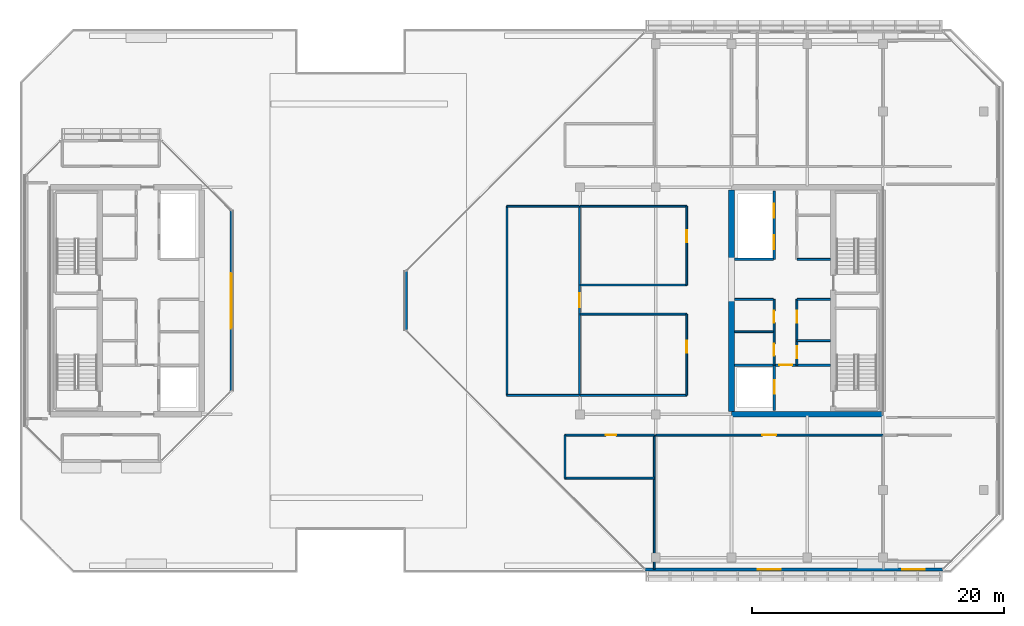
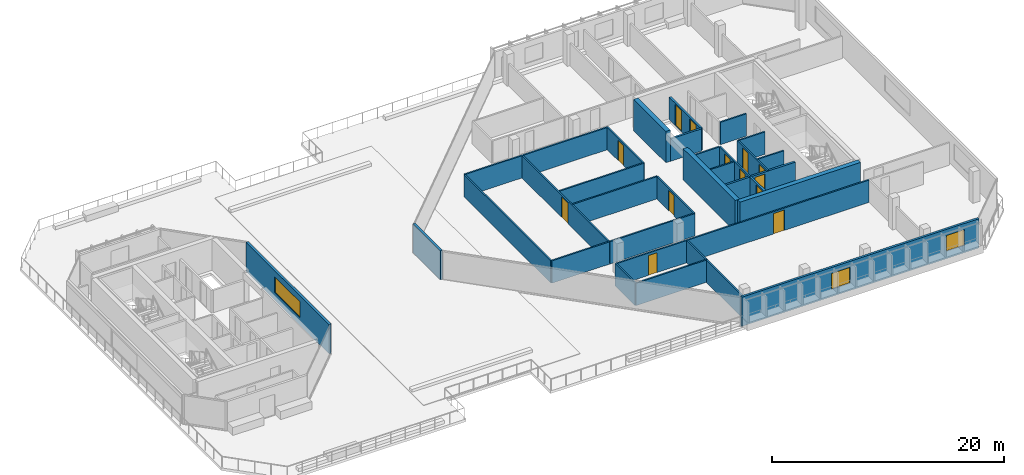
# One storey, part 22 of 30: 32 walls, 13 doors, 3 windows, 16 openings.
"""IFC4 building model written with IfcOpenShell, lengths in metres."""

from ifc_helpers import new_model, si_unit, direction, frame, frame_2d, origin, place, context, subcontext, project, spatial, rectangle, extrude, material, layer, layer_set, type_object, element, fill, save


model = new_model("IFC4")

# Units and contexts
model_context = context("Model", 3, precision=1e-05, world=origin(), true_north=direction((0.0, 1.0)))
body_context = subcontext(model_context, "Body", "Model", "MODEL_VIEW")
ifc_project = project(units=[si_unit("LENGTHUNIT", "METRE"), si_unit("AREAUNIT", "SQUARE_METRE"), si_unit("VOLUMEUNIT", "CUBIC_METRE"), si_unit("PLANEANGLEUNIT", "RADIAN"), si_unit("MASSUNIT", "GRAM", prefix="KILO")], contexts=[model_context])

# Site, building, storey
site_placement = place(None, origin())
site = spatial("IfcSite", under=ifc_project, at=site_placement, CompositionType="ELEMENT")
building_placement = place(site_placement, origin())
building = spatial("IfcBuilding", under=site, at=building_placement, Name="Tanjung Sevakor Pilgrim Tower", CompositionType="ELEMENT")
storey_placement = place(building_placement, frame((0.0, 0.0, 229.35009765625)))
storey = spatial("IfcBuildingStorey", under=building, at=storey_placement, Name="L64", CompositionType="ELEMENT", Elevation=229.35009765625)

# Walls
ifc_material_1 = material(Name="Concrete C60/75", Category="concrete")
ifc_layer_1 = layer(ifc_material_1, 0.449951171875)
ifc_layer_set_1 = layer_set([ifc_layer_1], Name="WALL-CW-450")
wall_type_1 = type_object("IfcWallType", Name="WALL-CW-450", PredefinedType="SHEAR", material=ifc_layer_set_1)
wall_1_placement = place(storey_placement, frame((78.0, 24.60009765625, 0.0), z_axis=(0.0, 0.0, 1.0), x_axis=(1.0, 0.0, 0.0)))
element("IfcWall", 1, at=wall_1_placement, inside=storey, type_object=wall_type_1, Name="L64 E Core South Shear Wall", PredefinedType="SHEAR", context=body_context, shape_type="SweptSolid", body=[
    extrude(rectangle(XDim=12.0, YDim=0.449951171875, at=frame_2d((6.0, 0.0))), origin(), (0.0, 0.0, 1.0), 3.2998046875),
])
wall_2_placement = place(storey_placement, frame((78.0, 24.824951171875, 0.0), z_axis=(0.0, 0.0, 1.0), x_axis=(0.0, 1.0, 0.0)))
element("IfcWall", 2, at=wall_2_placement, inside=storey, type_object=wall_type_1, Name="L64 E Core Inner Shear Wall South", PredefinedType="SHEAR", context=body_context, shape_type="SweptSolid", body=[
    extrude(rectangle(XDim=8.97509765625, YDim=0.449951171875, at=frame_2d((4.487548828125, 0.0))), origin(), (0.0, 0.0, 1.0), 3.2998046875),
])
wall_3_placement = place(storey_placement, frame((78.0, 36.800048828125, 0.0), z_axis=(0.0, 0.0, 1.0), x_axis=(0.0, 1.0, 0.0)))
element("IfcWall", 3, at=wall_3_placement, inside=storey, type_object=wall_type_1, Name="L64 E Core Inner Shear Wall North", PredefinedType="SHEAR", context=body_context, shape_type="SweptSolid", body=[
    extrude(rectangle(XDim=5.574951171875, YDim=0.449951171875, at=frame_2d((2.78759765625, 0.0))), origin(), (0.0, 0.0, 1.0), 3.2998046875),
])
ifc_material_2 = material(Name="Concrete C40/50", Category="concrete")
ifc_layer_2 = layer(ifc_material_2, 0.14990234375)
ifc_layer_set_2 = layer_set([ifc_layer_2], Name="WT-COMP-150")
wall_type_2 = type_object("IfcWallType", Name="WT-COMP-150", PredefinedType="SOLIDWALL", material=ifc_layer_set_2)
for number, where, z_axis, x_axis, name in (
    (4, (83.199951171875, 30.449951171875, 0.0), (0.0, 0.0, 1.0), (1.0, 0.0, 0.0), "L64 Partition IW-L64-016"),
    (5, (83.199951171875, 33.719970703125, 0.0), (0.0, 0.0, 1.0), (1.0, 0.0, 0.0), "L64 Partition IW-L64-017"),
):
    element("IfcWall", number, at=place(storey_placement, frame(where, z_axis=z_axis, x_axis=x_axis)), inside=storey, type_object=wall_type_2, Name=name, PredefinedType="SOLIDWALL", context=body_context, shape_type="SweptSolid", body=[
        extrude(rectangle(XDim=2.630126953125, YDim=0.14990234375, at=frame_2d((1.31494140625, 0.0))), origin(), (0.0, 0.0, 1.0), 2.35009765625),
    ])

# Wall, openings, doors
wall_4_placement = place(storey_placement, frame((83.179931640625, 28.5, 0.0), z_axis=(0.0, 0.0, 1.0), x_axis=(0.0, 1.0, 0.0)))
wall_4 = element("IfcWall", 6, at=wall_4_placement, inside=storey, type_object=wall_type_2, Name="L64 Partition IW-L64-018", PredefinedType="SOLIDWALL", context=body_context, shape_type="SweptSolid", body=[
    extrude(rectangle(XDim=5.219970703125, YDim=0.14990234375, at=frame_2d((2.60986328125, 0.0))), origin(), (0.0, 0.0, 1.0), 2.35009765625),
])
opening_1_placement = place(wall_4_placement, frame((0.550048828125, 0.0, 0.0)))
opening_1 = element("IfcOpeningElement", 7, at=opening_1_placement, cuts=wall_4, Name="Opening ID-FD2", PredefinedType="OPENING", context=body_context, shape_type="SweptSolid", body=[
    extrude(rectangle(XDim=0.949951171875, YDim=2.14990234375, at=frame_2d((0.47509765625, 1.074951171875))), frame((0.0, 0.0849609375, 0.0), z_axis=(0.0, -1.0, 0.0), x_axis=(1.0, 0.0, 0.0)), (0.0, 0.0, 1.0), 0.169921875),
])
opening_2_placement = place(wall_4_placement, frame((3.35009765625, 0.0, 0.0)))
opening_2 = element("IfcOpeningElement", 8, at=opening_2_placement, cuts=wall_4, Name="Opening ID-FD2", PredefinedType="OPENING", context=body_context, shape_type="SweptSolid", body=[
    extrude(rectangle(XDim=0.949951171875, YDim=2.14990234375, at=frame_2d((0.47509765625, 1.074951171875))), frame((0.0, 0.0849609375, 0.0), z_axis=(0.0, -1.0, 0.0), x_axis=(1.0, 0.0, 0.0)), (0.0, 0.0, 1.0), 0.169921875),
])
ifc_material_3 = material(Name="Fire-Rated Timber", Category="wood")
door_type_1 = type_object("IfcDoorType", Name="DT-FIRE-950", OperationType="NOTDEFINED", PredefinedType="DOOR", material=ifc_material_3)
door_1_placement = place(opening_1_placement, origin())
door_1 = element("IfcDoor", 9, at=door_1_placement, inside=storey, type_object=door_type_1, Name="L64 Cleaner Store Door", OperationType="SINGLE_SWING_RIGHT", OverallHeight=2.14990234375, OverallWidth=0.949951171875, PredefinedType="DOOR", context=body_context, shape_type="SweptSolid", body=[
    extrude(rectangle(XDim=0.949951171875, YDim=2.14990234375, at=frame_2d((0.47509765625, 1.074951171875))), frame((0.0, 0.02490234375, 0.0), z_axis=(0.0, -1.0, 0.0), x_axis=(1.0, 0.0, 0.0)), (0.0, 0.0, 1.0), 0.050048828125),
])
fill(opening_1, door_1)
door_2_placement = place(opening_2_placement, origin())
door_2 = element("IfcDoor", 10, at=door_2_placement, inside=storey, type_object=door_type_1, Name="L64 Housekeeping Pantry Door", OperationType="SINGLE_SWING_LEFT", OverallHeight=2.14990234375, OverallWidth=0.949951171875, PredefinedType="DOOR", context=body_context, shape_type="SweptSolid", body=[
    extrude(rectangle(XDim=0.949951171875, YDim=2.14990234375, at=frame_2d((0.47509765625, 1.074951171875))), frame((0.0, 0.02490234375, 0.0), z_axis=(0.0, -1.0, 0.0), x_axis=(1.0, 0.0, 0.0)), (0.0, 0.0, 1.0), 0.050048828125),
])
fill(opening_2, door_2)

# Walls
for number, where, z_axis, x_axis, name in (
    (11, (78.2451171875, 31.14990234375, 0.0), (0.0, 0.0, 1.0), (1.0, 0.0, 0.0), "L64 Partition IW-L64-019"),
    (12, (78.2451171875, 33.719970703125, 0.0), (0.0, 0.0, 1.0), (1.0, 0.0, 0.0), "L64 Partition IW-L64-020"),
):
    element("IfcWall", number, at=place(storey_placement, frame(where, z_axis=z_axis, x_axis=x_axis)), inside=storey, type_object=wall_type_2, Name=name, PredefinedType="SOLIDWALL", context=body_context, shape_type="SweptSolid", body=[
        extrude(rectangle(XDim=3.074951171875, YDim=0.14990234375, at=frame_2d((1.53759765625, 0.0))), origin(), (0.0, 0.0, 1.0), 2.35009765625),
    ])

# Wall, openings, doors
wall_5_placement = place(storey_placement, frame((81.3798828125, 28.5, 0.0), z_axis=(0.0, 0.0, 1.0), x_axis=(0.0, 1.0, 0.0)))
wall_5 = element("IfcWall", 13, at=wall_5_placement, inside=storey, type_object=wall_type_2, Name="L64 Partition IW-L64-021", PredefinedType="SOLIDWALL", context=body_context, shape_type="SweptSolid", body=[
    extrude(rectangle(XDim=5.219970703125, YDim=0.14990234375, at=frame_2d((2.60986328125, 0.0))), origin(), (0.0, 0.0, 1.0), 2.35009765625),
])
opening_3_placement = place(wall_5_placement, frame((0.75, 0.0, 0.0)))
opening_3 = element("IfcOpeningElement", 14, at=opening_3_placement, cuts=wall_5, Name="Opening ID-FD2", PredefinedType="OPENING", context=body_context, shape_type="SweptSolid", body=[
    extrude(rectangle(XDim=0.949951171875, YDim=2.14990234375, at=frame_2d((0.47509765625, 1.074951171875))), frame((0.0, 0.0849609375, 0.0), z_axis=(0.0, -1.0, 0.0), x_axis=(1.0, 0.0, 0.0)), (0.0, 0.0, 1.0), 0.169921875),
])
opening_4_placement = place(wall_5_placement, frame((3.35009765625, 0.0, 0.0)))
opening_4 = element("IfcOpeningElement", 15, at=opening_4_placement, cuts=wall_5, Name="Opening ID-FD2", PredefinedType="OPENING", context=body_context, shape_type="SweptSolid", body=[
    extrude(rectangle(XDim=0.949951171875, YDim=2.14990234375, at=frame_2d((0.47509765625, 1.074951171875))), frame((0.0, 0.0849609375, 0.0), z_axis=(0.0, -1.0, 0.0), x_axis=(1.0, 0.0, 0.0)), (0.0, 0.0, 1.0), 0.169921875),
])
door_3_placement = place(opening_3_placement, origin())
door_3 = element("IfcDoor", 16, at=door_3_placement, inside=storey, type_object=door_type_1, Name="L64 Accessible WC Door", OperationType="SINGLE_SWING_RIGHT", OverallHeight=2.14990234375, OverallWidth=0.949951171875, PredefinedType="DOOR", context=body_context, shape_type="SweptSolid", body=[
    extrude(rectangle(XDim=0.949951171875, YDim=2.14990234375, at=frame_2d((0.47509765625, 1.074951171875))), frame((0.0, 0.02490234375, 0.0), z_axis=(0.0, -1.0, 0.0), x_axis=(1.0, 0.0, 0.0)), (0.0, 0.0, 1.0), 0.050048828125),
])
fill(opening_3, door_3)
door_4_placement = place(opening_4_placement, origin())
door_4 = element("IfcDoor", 17, at=door_4_placement, inside=storey, type_object=door_type_1, Name="L64 Core Service Door", OperationType="SINGLE_SWING_LEFT", OverallHeight=2.14990234375, OverallWidth=0.949951171875, PredefinedType="DOOR", context=body_context, shape_type="SweptSolid", body=[
    extrude(rectangle(XDim=0.949951171875, YDim=2.14990234375, at=frame_2d((0.47509765625, 1.074951171875))), frame((0.0, 0.02490234375, 0.0), z_axis=(0.0, -1.0, 0.0), x_axis=(1.0, 0.0, 0.0)), (0.0, 0.0, 1.0), 0.050048828125),
])
fill(opening_4, door_4)

# Walls
wall_6_placement = place(storey_placement, frame((83.199951171875, 36.8798828125, 0.0), z_axis=(0.0, 0.0, 1.0), x_axis=(1.0, 0.0, 0.0)))
element("IfcWall", 18, at=wall_6_placement, inside=storey, type_object=wall_type_2, Name="L64 Partition IW-L64-022", PredefinedType="SOLIDWALL", context=body_context, shape_type="SweptSolid", body=[
    extrude(rectangle(XDim=2.630126953125, YDim=0.14990234375, at=frame_2d((1.31494140625, 0.0))), origin(), (0.0, 0.0, 1.0), 2.35009765625),
])
wall_7_placement = place(storey_placement, frame((64.800048828125, 19.550048828125, 0.0), z_axis=(0.0, 0.0, 1.0), x_axis=(1.0, 0.0, 0.0)))
element("IfcWall", 19, at=wall_7_placement, inside=storey, type_object=wall_type_2, Name="L64 Partition IW-L64-035", PredefinedType="SOLIDWALL", context=body_context, shape_type="SweptSolid", body=[
    extrude(rectangle(XDim=7.079833984375, YDim=0.14990234375, at=frame_2d((3.5400390625, 0.0))), origin(), (0.0, 0.0, 1.0), 2.35009765625),
])

# Wall, opening, door
wall_8_placement = place(storey_placement, frame((64.800048828125, 22.949951171875, 0.0), z_axis=(0.0, 0.0, 1.0), x_axis=(1.0, 0.0, 0.0)))
wall_8 = element("IfcWall", 20, at=wall_8_placement, inside=storey, type_object=wall_type_2, Name="L64 Partition IW-L64-036", PredefinedType="SOLIDWALL", context=body_context, shape_type="SweptSolid", body=[
    extrude(rectangle(XDim=7.079833984375, YDim=0.14990234375, at=frame_2d((3.5400390625, 0.0))), origin(), (0.0, 0.0, 1.0), 2.35009765625),
])
opening_5_placement = place(wall_8_placement, frame((3.22509765625, 0.0, 0.0)))
opening_5 = element("IfcOpeningElement", 21, at=opening_5_placement, cuts=wall_8, Name="Opening ID-WC1", PredefinedType="OPENING", context=body_context, shape_type="SweptSolid", body=[
    extrude(rectangle(XDim=0.85009765625, YDim=2.10009765625, at=frame_2d((0.425048828125, 1.050048828125))), frame((0.0, 0.0849609375, 0.0), z_axis=(0.0, -1.0, 0.0), x_axis=(1.0, 0.0, 0.0)), (0.0, 0.0, 1.0), 0.169921875),
])
ifc_material_4 = material(Name="Moisture-Resistant Timber", Category="wood")
door_type_2 = type_object("IfcDoorType", Name="DT-INT-850", OperationType="NOTDEFINED", PredefinedType="DOOR", material=ifc_material_4)
door_5_placement = place(opening_5_placement, origin())
door_5 = element("IfcDoor", 22, at=door_5_placement, inside=storey, type_object=door_type_2, Name="L64 SW Crown Suite Door", OperationType="SINGLE_SWING_LEFT", OverallHeight=2.10009765625, OverallWidth=0.85009765625, PredefinedType="DOOR", context=body_context, shape_type="SweptSolid", body=[
    extrude(rectangle(XDim=0.85009765625, YDim=2.10009765625, at=frame_2d((0.425048828125, 1.050048828125))), frame((0.0, 0.02490234375, 0.0), z_axis=(0.0, -1.0, 0.0), x_axis=(1.0, 0.0, 0.0)), (0.0, 0.0, 1.0), 0.050048828125),
])
fill(opening_5, door_5)

# Walls
wall_9_placement = place(storey_placement, frame((64.800048828125, 19.550048828125, 0.0), z_axis=(0.0, 0.0, 1.0), x_axis=(0.0, 1.0, 0.0)))
element("IfcWall", 23, at=wall_9_placement, inside=storey, type_object=wall_type_2, Name="L64 Partition IW-L64-037", PredefinedType="SOLIDWALL", context=body_context, shape_type="SweptSolid", body=[
    extrude(rectangle(XDim=3.39990234375, YDim=0.14990234375, at=frame_2d((1.699951171875, 0.0))), origin(), (0.0, 0.0, 1.0), 2.35009765625),
])
wall_10_placement = place(storey_placement, frame((71.8798828125, 12.340087890625, 0.0), z_axis=(0.0, 0.0, 1.0), x_axis=(0.0, 1.0, 0.0)))
element("IfcWall", 24, at=wall_10_placement, inside=storey, type_object=wall_type_2, Name="L64 Partition IW-L64-038", PredefinedType="SOLIDWALL", context=body_context, shape_type="SweptSolid", body=[
    extrude(rectangle(XDim=10.60986328125, YDim=0.14990234375, at=frame_2d((5.304931640625, 0.0))), origin(), (0.0, 0.0, 1.0), 2.35009765625),
])

# Wall, opening, door
wall_11_placement = place(storey_placement, frame((72.0, 22.949951171875, 0.0), z_axis=(0.0, 0.0, 1.0), x_axis=(1.0, 0.0, 0.0)))
wall_11 = element("IfcWall", 25, at=wall_11_placement, inside=storey, type_object=wall_type_2, Name="L64 Partition IW-L64-051", PredefinedType="SOLIDWALL", context=body_context, shape_type="SweptSolid", body=[
    extrude(rectangle(XDim=18.0, YDim=0.14990234375, at=frame_2d((9.0, 0.0))), origin(), (0.0, 0.0, 1.0), 2.35009765625),
])
opening_6_placement = place(wall_11_placement, frame((8.449951171875, 0.0, 0.0)))
opening_6 = element("IfcOpeningElement", 26, at=opening_6_placement, cuts=wall_11, Name="Opening ID-FD0", PredefinedType="OPENING", context=body_context, shape_type="SweptSolid", body=[
    extrude(rectangle(XDim=1.10009765625, YDim=2.14990234375, at=frame_2d((0.550048828125, 1.074951171875))), frame((0.0, 0.0849609375, 0.0), z_axis=(0.0, -1.0, 0.0), x_axis=(1.0, 0.0, 0.0)), (0.0, 0.0, 1.0), 0.169921875),
])
ifc_material_5 = material(Name="Fire-Rated Steel S355J2", Category="steel")
door_type_3 = type_object("IfcDoorType", Name="DT-FIRE-1100", OperationType="NOTDEFINED", PredefinedType="DOOR", material=ifc_material_5)
door_6_placement = place(opening_6_placement, origin())
door_6 = element("IfcDoor", 27, at=door_6_placement, inside=storey, type_object=door_type_3, Name="Observatory Door", OperationType="SINGLE_SWING_RIGHT", OverallHeight=2.14990234375, OverallWidth=1.10009765625, PredefinedType="DOOR", context=body_context, shape_type="SweptSolid", body=[
    extrude(rectangle(XDim=1.10009765625, YDim=2.14990234375, at=frame_2d((0.550048828125, 1.074951171875))), frame((0.0, 0.02490234375, 0.0), z_axis=(0.0, -1.0, 0.0), x_axis=(1.0, 0.0, 0.0)), (0.0, 0.0, 1.0), 0.050048828125),
])
fill(opening_6, door_6)

# Walls
for number, where, z_axis, x_axis, name in (
    (28, (60.199951171875, 26.10009765625, 0.0), (0.0, 0.0, 1.0), (1.0, 0.0, 0.0), "L64 Partition IW-L64-059"),
    (29, (60.199951171875, 41.10009765625, 0.0), (0.0, 0.0, 1.0), (1.0, 0.0, 0.0), "L64 Partition IW-L64-060"),
):
    element("IfcWall", number, at=place(storey_placement, frame(where, z_axis=z_axis, x_axis=x_axis)), inside=storey, type_object=wall_type_2, Name=name, PredefinedType="SOLIDWALL", context=body_context, shape_type="SweptSolid", body=[
        extrude(rectangle(XDim=5.75, YDim=0.14990234375, at=frame_2d((2.875, 0.0))), origin(), (0.0, 0.0, 1.0), 2.35009765625),
    ])
wall_12_placement = place(storey_placement, frame((60.199951171875, 26.10009765625, 0.0), z_axis=(0.0, 0.0, 1.0), x_axis=(0.0, 1.0, 0.0)))
element("IfcWall", 30, at=wall_12_placement, inside=storey, type_object=wall_type_2, Name="L64 Partition IW-L64-061", PredefinedType="SOLIDWALL", context=body_context, shape_type="SweptSolid", body=[
    extrude(rectangle(XDim=15.0, YDim=0.14990234375, at=frame_2d((7.5, 0.0))), origin(), (0.0, 0.0, 1.0), 2.35009765625),
])

# Wall, opening, door
wall_13_placement = place(storey_placement, frame((65.949951171875, 26.10009765625, 0.0), z_axis=(0.0, 0.0, 1.0), x_axis=(0.0, 1.0, 0.0)))
wall_13 = element("IfcWall", 31, at=wall_13_placement, inside=storey, type_object=wall_type_2, Name="L64 Partition IW-L64-062", PredefinedType="SOLIDWALL", context=body_context, shape_type="SweptSolid", body=[
    extrude(rectangle(XDim=15.0, YDim=0.14990234375, at=frame_2d((7.5, 0.0))), origin(), (0.0, 0.0, 1.0), 2.35009765625),
])
opening_7_placement = place(wall_13_placement, frame((7.0, 0.0, 0.0)))
opening_7 = element("IfcOpeningElement", 32, at=opening_7_placement, cuts=wall_13, Name="Opening ID-RM2", PredefinedType="OPENING", context=body_context, shape_type="SweptSolid", body=[
    extrude(rectangle(XDim=1.10009765625, YDim=2.14990234375, at=frame_2d((0.550048828125, 1.074951171875))), frame((0.0, 0.0849609375, 0.0), z_axis=(0.0, -1.0, 0.0), x_axis=(1.0, 0.0, 0.0)), (0.0, 0.0, 1.0), 0.169921875),
])
ifc_material_6 = material(Name="Hardwood Timber", Category="wood")
door_type_4 = type_object("IfcDoorType", Name="DT-INT-1100", OperationType="NOTDEFINED", PredefinedType="DOOR", material=ifc_material_6)
door_7_placement = place(opening_7_placement, origin())
door_7 = element("IfcDoor", 33, at=door_7_placement, inside=storey, type_object=door_type_4, Name="L64 West Cleft Sanctuary Door", OperationType="SINGLE_SWING_RIGHT", OverallHeight=2.14990234375, OverallWidth=1.10009765625, PredefinedType="DOOR", context=body_context, shape_type="SweptSolid", body=[
    extrude(rectangle(XDim=1.10009765625, YDim=2.14990234375, at=frame_2d((0.550048828125, 1.074951171875))), frame((0.0, 0.02490234375, 0.0), z_axis=(0.0, -1.0, 0.0), x_axis=(1.0, 0.0, 0.0)), (0.0, 0.0, 1.0), 0.050048828125),
])
fill(opening_7, door_7)

# Walls
for number, where, z_axis, x_axis, name in (
    (34, (66.0, 26.10009765625, 0.0), (0.0, 0.0, 1.0), (1.0, 0.0, 0.0), "L64 Partition IW-L64-063"),
    (35, (66.0, 32.550048828125, 0.0), (0.0, 0.0, 1.0), (1.0, 0.0, 0.0), "L64 Partition IW-L64-064"),
):
    element("IfcWall", number, at=place(storey_placement, frame(where, z_axis=z_axis, x_axis=x_axis)), inside=storey, type_object=wall_type_2, Name=name, PredefinedType="SOLIDWALL", context=body_context, shape_type="SweptSolid", body=[
        extrude(rectangle(XDim=8.449951171875, YDim=0.14990234375, at=frame_2d((4.22509765625, 0.0))), origin(), (0.0, 0.0, 1.0), 2.35009765625),
    ])

# Wall, opening, door
wall_14_placement = place(storey_placement, frame((74.449951171875, 26.10009765625, 0.0), z_axis=(0.0, 0.0, 1.0), x_axis=(0.0, 1.0, 0.0)))
wall_14 = element("IfcWall", 36, at=wall_14_placement, inside=storey, type_object=wall_type_2, Name="L64 Partition IW-L64-065", PredefinedType="SOLIDWALL", context=body_context, shape_type="SweptSolid", body=[
    extrude(rectangle(XDim=6.449951171875, YDim=0.14990234375, at=frame_2d((3.22509765625, 0.0))), origin(), (0.0, 0.0, 1.0), 2.35009765625),
])
opening_8_placement = place(wall_14_placement, frame((3.375, 0.0, 0.0)))
opening_8 = element("IfcOpeningElement", 37, at=opening_8_placement, cuts=wall_14, Name="Opening ID-RM1", PredefinedType="OPENING", context=body_context, shape_type="SweptSolid", body=[
    extrude(rectangle(XDim=0.949951171875, YDim=2.14990234375, at=frame_2d((0.47509765625, 1.074951171875))), frame((0.0, 0.0849609375, 0.0), z_axis=(0.0, -1.0, 0.0), x_axis=(1.0, 0.0, 0.0)), (0.0, 0.0, 1.0), 0.169921875),
])
ifc_material_7 = material(Name="Hardwood Timber", Category="wood")
door_type_5 = type_object("IfcDoorType", Name="DT-INT-950", OperationType="NOTDEFINED", PredefinedType="DOOR", material=ifc_material_7)
door_8_placement = place(opening_8_placement, origin())
door_8 = element("IfcDoor", 38, at=door_8_placement, inside=storey, type_object=door_type_5, Name="L64 East Peak Seminar Door", OperationType="SINGLE_SWING_LEFT", OverallHeight=2.14990234375, OverallWidth=0.949951171875, PredefinedType="DOOR", context=body_context, shape_type="SweptSolid", body=[
    extrude(rectangle(XDim=0.949951171875, YDim=2.14990234375, at=frame_2d((0.47509765625, 1.074951171875))), frame((0.0, 0.02490234375, 0.0), z_axis=(0.0, -1.0, 0.0), x_axis=(1.0, 0.0, 0.0)), (0.0, 0.0, 1.0), 0.050048828125),
])
fill(opening_8, door_8)

# Walls
for number, where, z_axis, x_axis, name in (
    (39, (66.0, 34.85009765625, 0.0), (0.0, 0.0, 1.0), (1.0, 0.0, 0.0), "L64 Partition IW-L64-066"),
    (40, (66.0, 41.10009765625, 0.0), (0.0, 0.0, 1.0), (1.0, 0.0, 0.0), "L64 Partition IW-L64-067"),
):
    element("IfcWall", number, at=place(storey_placement, frame(where, z_axis=z_axis, x_axis=x_axis)), inside=storey, type_object=wall_type_2, Name=name, PredefinedType="SOLIDWALL", context=body_context, shape_type="SweptSolid", body=[
        extrude(rectangle(XDim=8.449951171875, YDim=0.14990234375, at=frame_2d((4.22509765625, 0.0))), origin(), (0.0, 0.0, 1.0), 2.35009765625),
    ])

# Wall, opening, door
wall_15_placement = place(storey_placement, frame((74.449951171875, 34.85009765625, 0.0), z_axis=(0.0, 0.0, 1.0), x_axis=(0.0, 1.0, 0.0)))
wall_15 = element("IfcWall", 41, at=wall_15_placement, inside=storey, type_object=wall_type_2, Name="L64 Partition IW-L64-068", PredefinedType="SOLIDWALL", context=body_context, shape_type="SweptSolid", body=[
    extrude(rectangle(XDim=6.25, YDim=0.14990234375, at=frame_2d((3.125, 0.0))), origin(), (0.0, 0.0, 1.0), 2.35009765625),
])
opening_9_placement = place(wall_15_placement, frame((3.375, 0.0, 0.0)))
opening_9 = element("IfcOpeningElement", 42, at=opening_9_placement, cuts=wall_15, Name="Opening ID-RM1", PredefinedType="OPENING", context=body_context, shape_type="SweptSolid", body=[
    extrude(rectangle(XDim=0.949951171875, YDim=2.14990234375, at=frame_2d((0.47509765625, 1.074951171875))), frame((0.0, 0.0849609375, 0.0), z_axis=(0.0, -1.0, 0.0), x_axis=(1.0, 0.0, 0.0)), (0.0, 0.0, 1.0), 0.169921875),
])
door_9_placement = place(opening_9_placement, origin())
door_9 = element("IfcDoor", 43, at=door_9_placement, inside=storey, type_object=door_type_5, Name="L64 East Peak Reading Door", OperationType="SINGLE_SWING_RIGHT", OverallHeight=2.14990234375, OverallWidth=0.949951171875, PredefinedType="DOOR", context=body_context, shape_type="SweptSolid", body=[
    extrude(rectangle(XDim=0.949951171875, YDim=2.14990234375, at=frame_2d((0.47509765625, 1.074951171875))), frame((0.0, 0.02490234375, 0.0), z_axis=(0.0, -1.0, 0.0), x_axis=(1.0, 0.0, 0.0)), (0.0, 0.0, 1.0), 0.050048828125),
])
fill(opening_9, door_9)

# Wall, opening, window
ifc_material_8 = material(Name="Precast concrete C45/55", Category="concrete")
ifc_layer_3 = layer(ifc_material_8, 0.219970703125)
ifc_layer_set_3 = layer_set([ifc_layer_3], Name="WT-EW-STN4")
wall_type_3 = type_object("IfcWallType", Name="WT-EW-STN4", PredefinedType="SOLIDWALL", material=ifc_layer_set_3)
wall_16_placement = place(storey_placement, frame((38.340087890625, 26.445556640625, 0.0), z_axis=(0.0, 0.0, 1.0), x_axis=(0.0, 1.0, 0.0)))
wall_16 = element("IfcWall", 44, at=wall_16_placement, inside=storey, type_object=wall_type_3, Name="L64 WEST Exterior Wall 3", PredefinedType="SOLIDWALL", context=body_context, shape_type="SweptSolid", body=[
    extrude(rectangle(XDim=14.308837890625, YDim=0.219970703125, at=frame_2d((7.154296875, 0.0))), origin(), (0.0, 0.0, 1.0), 3.080078125),
])
opening_10_placement = place(wall_16_placement, frame((4.954345703125, 0.0, 0.780029296875)))
opening_10 = element("IfcOpeningElement", 45, at=opening_10_placement, cuts=wall_16, Name="Opening WN-ENDW-1660", PredefinedType="OPENING", context=body_context, shape_type="SweptSolid", body=[
    extrude(rectangle(XDim=4.39990234375, YDim=1.659912109375, at=frame_2d((2.199951171875, 0.830078125))), frame((0.0, 0.119873046875, 0.0), z_axis=(0.0, -1.0, 0.0), x_axis=(1.0, 0.0, 0.0)), (0.0, 0.0, 1.0), 0.239990234375),
])
ifc_material_9 = material(Name="Thermally Broken Aluminium and Low-E Glass", Category="aluminium")
window_type_1 = type_object("IfcWindowType", Name="WTYP-WN-ENDW-1660", PartitioningType="DOUBLE_PANEL_VERTICAL", PredefinedType="WINDOW", material=ifc_material_9)
window_1_placement = place(opening_10_placement, origin())
window_1 = element("IfcWindow", 46, at=window_1_placement, inside=storey, type_object=window_type_1, Name="L64 Facade Window 01", OverallHeight=1.659912109375, OverallWidth=4.39990234375, PartitioningType="SINGLE_PANEL", PredefinedType="WINDOW", context=body_context, shape_type="SweptSolid", body=[
    extrude(rectangle(XDim=4.39990234375, YDim=1.659912109375, at=frame_2d((2.199951171875, 0.830078125))), frame((0.0, 0.030029296875, 0.0), z_axis=(0.0, -1.0, 0.0), x_axis=(1.0, 0.0, 0.0)), (0.0, 0.0, 1.0), 0.06005859375),
])
fill(opening_10, window_1)

# Wall, openings, windows
wall_17_placement = place(storey_placement, frame((71.1455078125, 12.31005859375, 0.0), z_axis=(0.0, 0.0, 1.0), x_axis=(1.0, 0.0, 0.0)))
wall_17 = element("IfcWall", 47, at=wall_17_placement, inside=storey, type_object=wall_type_3, Name="L64 EAST Exterior Wall 1", PredefinedType="SOLIDWALL", context=body_context, shape_type="SweptSolid", body=[
    extrude(rectangle(XDim=23.60888671875, YDim=0.219970703125, at=frame_2d((11.804443359375, 0.0))), origin(), (0.0, 0.0, 1.0), 3.080078125),
])
opening_11_placement = place(wall_17_placement, frame((20.381591796875, 0.0, 0.780029296875)))
opening_11 = element("IfcOpeningElement", 48, at=opening_11_placement, cuts=wall_17, Name="Opening WN-Z3-1660", PredefinedType="OPENING", context=body_context, shape_type="SweptSolid", body=[
    extrude(rectangle(XDim=1.800048828125, YDim=1.659912109375, at=frame_2d((0.89990234375, 0.830078125))), frame((0.0, 0.119873046875, 0.0), z_axis=(0.0, -1.0, 0.0), x_axis=(1.0, 0.0, 0.0)), (0.0, 0.0, 1.0), 0.239990234375),
])
opening_12_placement = place(wall_17_placement, frame((8.954345703125, 0.0, 0.780029296875)))
opening_12 = element("IfcOpeningElement", 49, at=opening_12_placement, cuts=wall_17, Name="Opening WN-Z3-1660", PredefinedType="OPENING", context=body_context, shape_type="SweptSolid", body=[
    extrude(rectangle(XDim=1.800048828125, YDim=1.659912109375, at=frame_2d((0.89990234375, 0.830078125))), frame((0.0, 0.119873046875, 0.0), z_axis=(0.0, -1.0, 0.0), x_axis=(1.0, 0.0, 0.0)), (0.0, 0.0, 1.0), 0.239990234375),
])
ifc_material_10 = material(Name="Thermally Broken Aluminium and Low-E Glass", Category="aluminium")
window_type_2 = type_object("IfcWindowType", Name="WTYP-WN-Z3-1660", PartitioningType="DOUBLE_PANEL_VERTICAL", PredefinedType="WINDOW", material=ifc_material_10)
window_2_placement = place(opening_11_placement, origin())
window_2 = element("IfcWindow", 50, at=window_2_placement, inside=storey, type_object=window_type_2, Name="L64 Facade Window 01", OverallHeight=1.659912109375, OverallWidth=1.800048828125, PartitioningType="SINGLE_PANEL", PredefinedType="WINDOW", context=body_context, shape_type="SweptSolid", body=[
    extrude(rectangle(XDim=1.800048828125, YDim=1.659912109375, at=frame_2d((0.89990234375, 0.830078125))), frame((0.0, 0.030029296875, 0.0), z_axis=(0.0, -1.0, 0.0), x_axis=(1.0, 0.0, 0.0)), (0.0, 0.0, 1.0), 0.06005859375),
])
fill(opening_11, window_2)
window_3_placement = place(opening_12_placement, origin())
window_3 = element("IfcWindow", 51, at=window_3_placement, inside=storey, type_object=window_type_2, Name="L64 Facade Window 02", OverallHeight=1.659912109375, OverallWidth=1.800048828125, PartitioningType="SINGLE_PANEL", PredefinedType="WINDOW", context=body_context, shape_type="SweptSolid", body=[
    extrude(rectangle(XDim=1.800048828125, YDim=1.659912109375, at=frame_2d((0.89990234375, 0.830078125))), frame((0.0, 0.030029296875, 0.0), z_axis=(0.0, -1.0, 0.0), x_axis=(1.0, 0.0, 0.0)), (0.0, 0.0, 1.0), 0.06005859375),
])
fill(opening_12, window_3)

# Wall
wall_18_placement = place(storey_placement, frame((52.2099609375, 35.954345703125, 0.0), z_axis=(0.0, 0.0, 1.0), x_axis=(0.0, -1.0, 0.0)))
element("IfcWall", 52, at=wall_18_placement, inside=storey, type_object=wall_type_3, Name="L64 EAST Exterior Wall 7", PredefinedType="SOLIDWALL", context=body_context, shape_type="SweptSolid", body=[
    extrude(rectangle(XDim=4.708740234375, YDim=0.219970703125, at=frame_2d((2.3544921875, 0.0))), origin(), (0.0, 0.0, 1.0), 3.080078125),
])

# Wall, opening, door
ifc_material_11 = material(Name="Concrete C40/50", Category="concrete")
ifc_layer_4 = layer(ifc_material_11, 0.199951171875)
ifc_layer_set_4 = layer_set([ifc_layer_4], Name="WT-FPRT-200")
wall_type_4 = type_object("IfcWallType", Name="WT-FPRT-200", PredefinedType="SOLIDWALL", material=ifc_layer_set_4)
wall_19_placement = place(storey_placement, frame((81.39990234375, 24.919921875, 0.0), z_axis=(0.0, 0.0, 1.0), x_axis=(0.0, 1.0, 0.0)))
wall_19 = element("IfcWall", 53, at=wall_19_placement, inside=storey, type_object=wall_type_4, Name="L64 Partition IW-L64-014", PredefinedType="SOLIDWALL", context=body_context, shape_type="SweptSolid", body=[
    extrude(rectangle(XDim=3.580078125, YDim=0.199951171875, at=frame_2d((1.7900390625, 0.0))), origin(), (0.0, 0.0, 1.0), 2.35009765625),
])
opening_13_placement = place(wall_19_placement, frame((1.300048828125, 0.0, 0.0)))
opening_13 = element("IfcOpeningElement", 54, at=opening_13_placement, cuts=wall_19, Name="Opening LD-1100", PredefinedType="OPENING", context=body_context, shape_type="SweptSolid", body=[
    extrude(rectangle(XDim=1.10009765625, YDim=2.199951171875, at=frame_2d((0.550048828125, 1.10009765625))), frame((0.0, 0.10986328125, 0.0), z_axis=(0.0, -1.0, 0.0), x_axis=(1.0, 0.0, 0.0)), (0.0, 0.0, 1.0), 0.219970703125),
])
ifc_material_12 = material(Name="Brushed Stainless Steel S355J2", Category="steel")
door_type_6 = type_object("IfcDoorType", Name="DT-LIFT-1100", OperationType="SLIDING_TO_LEFT", PredefinedType="DOOR", material=ifc_material_12)
door_10_placement = place(opening_13_placement, origin())
door_10 = element("IfcDoor", 55, at=door_10_placement, inside=storey, type_object=door_type_6, Name="LD-FL-E", OperationType="SLIDING_TO_LEFT", OverallHeight=2.199951171875, OverallWidth=1.10009765625, PredefinedType="DOOR", context=body_context, shape_type="SweptSolid", body=[
    extrude(rectangle(XDim=1.10009765625, YDim=2.199951171875, at=frame_2d((0.550048828125, 1.10009765625))), frame((0.0, 0.02490234375, 0.0), z_axis=(0.0, -1.0, 0.0), x_axis=(1.0, 0.0, 0.0)), (0.0, 0.0, 1.0), 0.050048828125),
])
fill(opening_13, door_10)

wall_20_placement = place(storey_placement, frame((78.2451171875, 28.5, 0.0), z_axis=(0.0, 0.0, 1.0), x_axis=(1.0, 0.0, 0.0)))
wall_20 = element("IfcWall", 56, at=wall_20_placement, inside=storey, type_object=wall_type_4, Name="L64 Partition IW-L64-015", PredefinedType="SOLIDWALL", context=body_context, shape_type="SweptSolid", body=[
    extrude(rectangle(XDim=7.5849609375, YDim=0.199951171875, at=frame_2d((3.79248046875, 0.0))), origin(), (0.0, 0.0, 1.0), 2.35009765625),
])
opening_14_placement = place(wall_20_placement, frame((3.554931640625, 0.0, 0.0)))
opening_14 = element("IfcOpeningElement", 57, at=opening_14_placement, cuts=wall_20, Name="Opening ID-FD1", PredefinedType="OPENING", context=body_context, shape_type="SweptSolid", body=[
    extrude(rectangle(XDim=1.0, YDim=2.14990234375, at=frame_2d((0.5, 1.074951171875))), frame((0.0, 0.10986328125, 0.0), z_axis=(0.0, -1.0, 0.0), x_axis=(1.0, 0.0, 0.0)), (0.0, 0.0, 1.0), 0.219970703125),
])
ifc_material_13 = material(Name="Fire-Rated Steel S355J2", Category="steel")
door_type_7 = type_object("IfcDoorType", Name="DT-FIRE-1000", OperationType="NOTDEFINED", PredefinedType="DOOR", material=ifc_material_13)
door_11_placement = place(opening_14_placement, origin())
door_11 = element("IfcDoor", 58, at=door_11_placement, inside=storey, type_object=door_type_7, Name="Fire Lobby Door E", OperationType="SINGLE_SWING_LEFT", OverallHeight=2.14990234375, OverallWidth=1.0, PredefinedType="DOOR", context=body_context, shape_type="SweptSolid", body=[
    extrude(rectangle(XDim=1.0, YDim=2.14990234375, at=frame_2d((0.5, 1.074951171875))), frame((0.0, 0.02490234375, 0.0), z_axis=(0.0, -1.0, 0.0), x_axis=(1.0, 0.0, 0.0)), (0.0, 0.0, 1.0), 0.050048828125),
])
fill(opening_14, door_11)

# Wall
wall_21_placement = place(storey_placement, frame((78.2451171875, 36.8798828125, 0.0), z_axis=(0.0, 0.0, 1.0), x_axis=(1.0, 0.0, 0.0)))
element("IfcWall", 59, at=wall_21_placement, inside=storey, type_object=wall_type_4, Name="L64 Partition IW-L64-025", PredefinedType="SOLIDWALL", context=body_context, shape_type="SweptSolid", body=[
    extrude(rectangle(XDim=3.074951171875, YDim=0.199951171875, at=frame_2d((1.53759765625, 0.0))), origin(), (0.0, 0.0, 1.0), 2.35009765625),
])

# Wall, openings, doors
wall_22_placement = place(storey_placement, frame((81.3798828125, 36.8798828125, 0.0), z_axis=(0.0, 0.0, 1.0), x_axis=(0.0, 1.0, 0.0)))
wall_22 = element("IfcWall", 60, at=wall_22_placement, inside=storey, type_object=wall_type_4, Name="L64 Partition IW-L64-026", PredefinedType="SOLIDWALL", context=body_context, shape_type="SweptSolid", body=[
    extrude(rectangle(XDim=5.420166015625, YDim=0.199951171875, at=frame_2d((2.7099609375, 0.0))), origin(), (0.0, 0.0, 1.0), 2.35009765625),
])
opening_15_placement = place(wall_22_placement, frame((0.800048828125, 0.0, 0.0)))
opening_15 = element("IfcOpeningElement", 61, at=opening_15_placement, cuts=wall_22, Name="Opening LD-1100", PredefinedType="OPENING", context=body_context, shape_type="SweptSolid", body=[
    extrude(rectangle(XDim=1.10009765625, YDim=2.199951171875, at=frame_2d((0.550048828125, 1.10009765625))), frame((0.0, 0.10986328125, 0.0), z_axis=(0.0, -1.0, 0.0), x_axis=(1.0, 0.0, 0.0)), (0.0, 0.0, 1.0), 0.219970703125),
])
opening_16_placement = place(wall_22_placement, frame((3.300048828125, 0.0, 0.0)))
opening_16 = element("IfcOpeningElement", 62, at=opening_16_placement, cuts=wall_22, Name="Opening LD-1100", PredefinedType="OPENING", context=body_context, shape_type="SweptSolid", body=[
    extrude(rectangle(XDim=1.10009765625, YDim=2.199951171875, at=frame_2d((0.550048828125, 1.10009765625))), frame((0.0, 0.10986328125, 0.0), z_axis=(0.0, -1.0, 0.0), x_axis=(1.0, 0.0, 0.0)), (0.0, 0.0, 1.0), 0.219970703125),
])
door_12_placement = place(opening_15_placement, origin())
door_12 = element("IfcDoor", 63, at=door_12_placement, inside=storey, type_object=door_type_6, Name="LD-PLH1-E", OperationType="SLIDING_TO_LEFT", OverallHeight=2.199951171875, OverallWidth=1.10009765625, PredefinedType="DOOR", context=body_context, shape_type="SweptSolid", body=[
    extrude(rectangle(XDim=1.10009765625, YDim=2.199951171875, at=frame_2d((0.550048828125, 1.10009765625))), frame((0.0, 0.02490234375, 0.0), z_axis=(0.0, -1.0, 0.0), x_axis=(1.0, 0.0, 0.0)), (0.0, 0.0, 1.0), 0.050048828125),
])
fill(opening_15, door_12)
door_13_placement = place(opening_16_placement, origin())
door_13 = element("IfcDoor", 64, at=door_13_placement, inside=storey, type_object=door_type_6, Name="LD-PLH2-E", OperationType="SLIDING_TO_RIGHT", OverallHeight=2.199951171875, OverallWidth=1.10009765625, PredefinedType="DOOR", context=body_context, shape_type="SweptSolid", body=[
    extrude(rectangle(XDim=1.10009765625, YDim=2.199951171875, at=frame_2d((0.550048828125, 1.10009765625))), frame((0.0, 0.02490234375, 0.0), z_axis=(0.0, -1.0, 0.0), x_axis=(1.0, 0.0, 0.0)), (0.0, 0.0, 1.0), 0.050048828125),
])
fill(opening_16, door_13)

save(model, "model.ifc")
